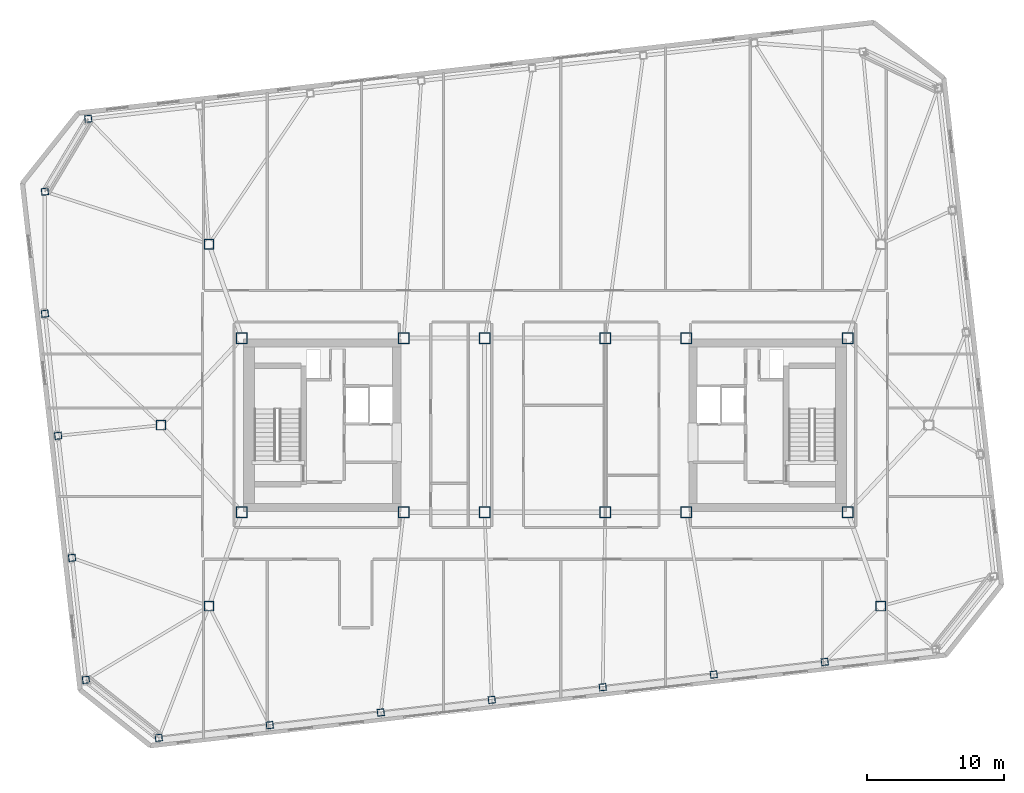
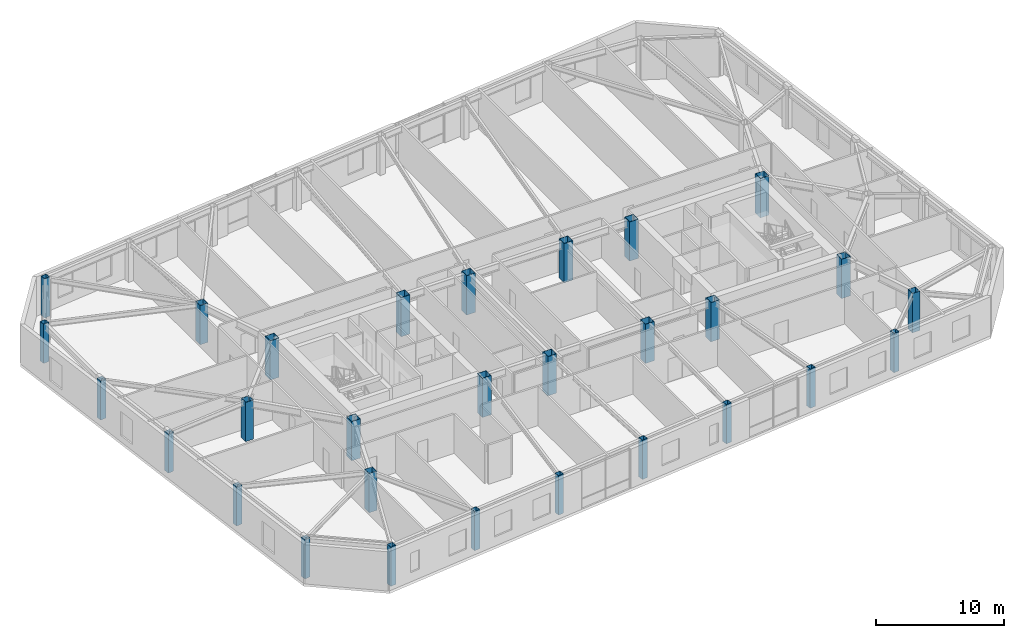
# One storey, part 1 of 19: 29 columns.
"""IFC4 building model written with IfcOpenShell, lengths in metres."""

from ifc_helpers import new_model, si_unit, direction, frame, origin, origin_2d, place, context, subcontext, project, spatial, hollow_rectangle, extrude, material, material_profile, profile_set, type_object, element, save


model = new_model("IFC4")

# Units and contexts
model_context = context("Model", 3, precision=1e-05, world=origin(), true_north=direction((0.0, 1.0)))
body_context = subcontext(model_context, "Body", "Model", "MODEL_VIEW")
ifc_project = project(units=[si_unit("LENGTHUNIT", "METRE"), si_unit("AREAUNIT", "SQUARE_METRE"), si_unit("VOLUMEUNIT", "CUBIC_METRE"), si_unit("PLANEANGLEUNIT", "RADIAN"), si_unit("MASSUNIT", "GRAM", prefix="KILO")], contexts=[model_context])

# Site, building, storey
site_placement = place(None, origin())
site = spatial("IfcSite", under=ifc_project, at=site_placement, CompositionType="ELEMENT")
building_placement = place(site_placement, origin())
building = spatial("IfcBuilding", under=site, at=building_placement, Name="Tavrogorsk Clinical Tower", CompositionType="ELEMENT")
storey_placement = place(building_placement, frame((0.0, 0.0, 255.0)))
storey = spatial("IfcBuildingStorey", under=building, at=storey_placement, Name="L59", CompositionType="ELEMENT", Elevation=255.0)

# Columns
ifc_material_1 = material(Name="Structural steel S440", Category="steel")
ifc_material_profile_1 = material_profile(ifc_material_1, hollow_rectangle(XDim=0.699951171875, YDim=0.699951171875, WallThickness=0.031982421875, at=origin_2d()), Name="BOX-700x700x32")
ifc_profile_set_1 = profile_set([ifc_material_profile_1], Name="Structural steel S440")
column_type_1 = type_object("IfcColumnType", Name="MegaCol_BOX700", PredefinedType="COLUMN", material=ifc_profile_set_1)
for number, where, z_axis, x_axis, name in (
    (1, (-24.5, -13.199951171875, 0.0), (0.0, 0.0, 1.0), (1.0, 0.0, 0.0), "L59 Spine Pilotis Column MC-P1"),
    (2, (24.5, -13.199951171875, 0.0), (0.0, 0.0, 1.0), (1.0, 0.0, 0.0), "L59 Spine Pilotis Column MC-P2"),
    (3, (-24.5, 13.199951171875, 0.0), (0.0, 0.0, 1.0), (1.0, 0.0, 0.0), "L59 Spine Pilotis Column MC-P3"),
    (4, (-28.0, 0.0, 0.0), (0.0, 0.0, 1.0), (1.0, 0.0, 0.0), "L59 Spine Pilotis Column MC-P5"),
):
    element("IfcColumn", number, at=place(storey_placement, frame(where, z_axis=z_axis, x_axis=x_axis)), inside=storey, type_object=column_type_1, Name=name, PredefinedType="COLUMN", context=body_context, shape_type="SweptSolid", body=[
        extrude(hollow_rectangle(XDim=0.699951171875, YDim=0.699951171875, WallThickness=0.031982421875, at=origin_2d()), origin(), (0.0, 0.0, 1.0), 3.739990234375),
    ])
ifc_material_2 = material(Name="Structural steel S440", Category="steel")
ifc_material_profile_2 = material_profile(ifc_material_2, hollow_rectangle(XDim=0.800048828125, YDim=0.800048828125, WallThickness=0.035888671875, at=origin_2d()), Name="BOX-800x800x36")
ifc_profile_set_2 = profile_set([ifc_material_profile_2], Name="Structural steel S440")
column_type_2 = type_object("IfcColumnType", Name="MegaCol_BOX800", PredefinedType="COLUMN", material=ifc_profile_set_2)
for number, where, z_axis, x_axis, name in (
    (5, (-22.10009765625, -6.35009765625, 0.0), (0.0, 0.0, 1.0), (1.0, 0.0, 0.0), "L59 Mega Column MC-W1"),
    (6, (-22.10009765625, 6.35009765625, 0.0), (0.0, 0.0, 1.0), (1.0, 0.0, 0.0), "L59 Mega Column MC-W2"),
    (7, (-10.300048828125, -6.35009765625, 0.0), (0.0, 0.0, 1.0), (1.0, 0.0, 0.0), "L59 Mega Column MC-W3"),
    (8, (-10.300048828125, 6.35009765625, 0.0), (0.0, 0.0, 1.0), (1.0, 0.0, 0.0), "L59 Mega Column MC-W4"),
    (9, (10.300048828125, -6.35009765625, 0.0), (0.0, 0.0, 1.0), (1.0, 0.0, 0.0), "L59 Mega Column MC-E1"),
    (10, (10.300048828125, 6.35009765625, 0.0), (0.0, 0.0, 1.0), (1.0, 0.0, 0.0), "L59 Mega Column MC-E2"),
    (11, (22.10009765625, -6.35009765625, 0.0), (0.0, 0.0, 1.0), (1.0, 0.0, 0.0), "L59 Mega Column MC-E3"),
    (12, (22.10009765625, 6.35009765625, 0.0), (0.0, 0.0, 1.0), (1.0, 0.0, 0.0), "L59 Mega Column MC-E4"),
    (13, (-4.39990234375, -6.35009765625, 0.0), (0.0, 0.0, 1.0), (1.0, 0.0, 0.0), "L59 Mega Column MC-C1"),
    (14, (4.39990234375, -6.35009765625, 0.0), (0.0, 0.0, 1.0), (1.0, 0.0, 0.0), "L59 Mega Column MC-C2"),
    (15, (-4.39990234375, 6.35009765625, 0.0), (0.0, 0.0, 1.0), (1.0, 0.0, 0.0), "L59 Mega Column MC-C3"),
    (16, (4.39990234375, 6.35009765625, 0.0), (0.0, 0.0, 1.0), (1.0, 0.0, 0.0), "L59 Mega Column MC-C4"),
):
    element("IfcColumn", number, at=place(storey_placement, frame(where, z_axis=z_axis, x_axis=x_axis)), inside=storey, type_object=column_type_2, Name=name, PredefinedType="COLUMN", context=body_context, shape_type="SweptSolid", body=[
        extrude(hollow_rectangle(XDim=0.800048828125, YDim=0.800048828125, WallThickness=0.035888671875, at=origin_2d()), origin(), (0.0, 0.0, 1.0), 3.739990234375),
    ])
ifc_material_3 = material(Name="Structural steel S440", Category="steel")
ifc_material_profile_3 = material_profile(ifc_material_3, hollow_rectangle(XDim=0.5, YDim=0.5, WallThickness=0.02490234375, at=origin_2d()), Name="BOX-500x500x25")
ifc_profile_set_3 = profile_set([ifc_material_profile_3], Name="Structural steel S440")
column_type_3 = type_object("IfcColumnType", Name="PerimCol_B4_BOX500", PredefinedType="COLUMN", material=ifc_profile_set_3)
for number, where, z_axis, x_axis, name in (
    (17, (-28.164794921875, -22.802490234375, 0.0), (0.0, 0.0, 1.0), (0.993571855677, 0.113203213768, 0.0), "L59 Perimeter Column S1"),
    (18, (-20.068603515625, -21.880126953125, 0.0), (0.0, 0.0, 1.0), (0.993571855677, 0.113203213768, 0.0), "L59 Perimeter Column S2"),
    (19, (-11.972412109375, -20.95751953125, 0.0), (0.0, 0.0, 1.0), (0.993571855677, 0.113203213768, 0.0), "L59 Perimeter Column S3"),
    (20, (-3.876220703125, -20.03515625, 0.0), (0.0, 0.0, 1.0), (0.993571855677, 0.113203213768, 0.0), "L59 Perimeter Column S4"),
    (21, (4.22021484375, -19.11279296875, 0.0), (0.0, 0.0, 1.0), (0.993571855677, 0.113203213768, 0.0), "L59 Perimeter Column S5"),
    (22, (12.31640625, -18.190185546875, 0.0), (0.0, 0.0, 1.0), (0.993571855677, 0.113203213768, 0.0), "L59 Perimeter Column S6"),
    (23, (20.412353515625, -17.267822265625, 0.0), (0.0, 0.0, 1.0), (0.993571855677, 0.113203213768, 0.0), "L59 Perimeter Column S7"),
    (24, (-33.30859375, 22.345458984375, 0.0), (0.0, 0.0, 1.0), (0.993571855677, 0.113203213768, 0.0), "L59 Perimeter Column N8"),
    (25, (-36.469970703125, 17.032958984375, 0.0), (0.0, 0.0, 1.0), (0.993571855677, 0.113203213768, 0.0), "L59 Perimeter Column W1"),
    (26, (-36.469970703125, 8.130615234375, 0.0), (0.0, 0.0, 1.0), (0.993571855677, 0.113203213768, 0.0), "L59 Perimeter Column W2"),
    (27, (-35.505859375, -0.77197265625, 0.0), (0.0, 0.0, 1.0), (0.993571855677, 0.113203213768, 0.0), "L59 Perimeter Column W3"),
    (28, (-34.491455078125, -9.67431640625, 0.0), (0.0, 0.0, 1.0), (0.993571855677, 0.113203213768, 0.0), "L59 Perimeter Column W4"),
    (29, (-33.477294921875, -18.57666015625, 0.0), (0.0, 0.0, 1.0), (0.993571855677, 0.113203213768, 0.0), "L59 Perimeter Column W5"),
):
    element("IfcColumn", number, at=place(storey_placement, frame(where, z_axis=z_axis, x_axis=x_axis)), inside=storey, type_object=column_type_3, Name=name, PredefinedType="COLUMN", context=body_context, shape_type="SweptSolid", body=[
        extrude(hollow_rectangle(XDim=0.5, YDim=0.5, WallThickness=0.02490234375, at=origin_2d()), origin(), (0.0, 0.0, 1.0), 3.739990234375),
    ])

save(model, "model.ifc")
